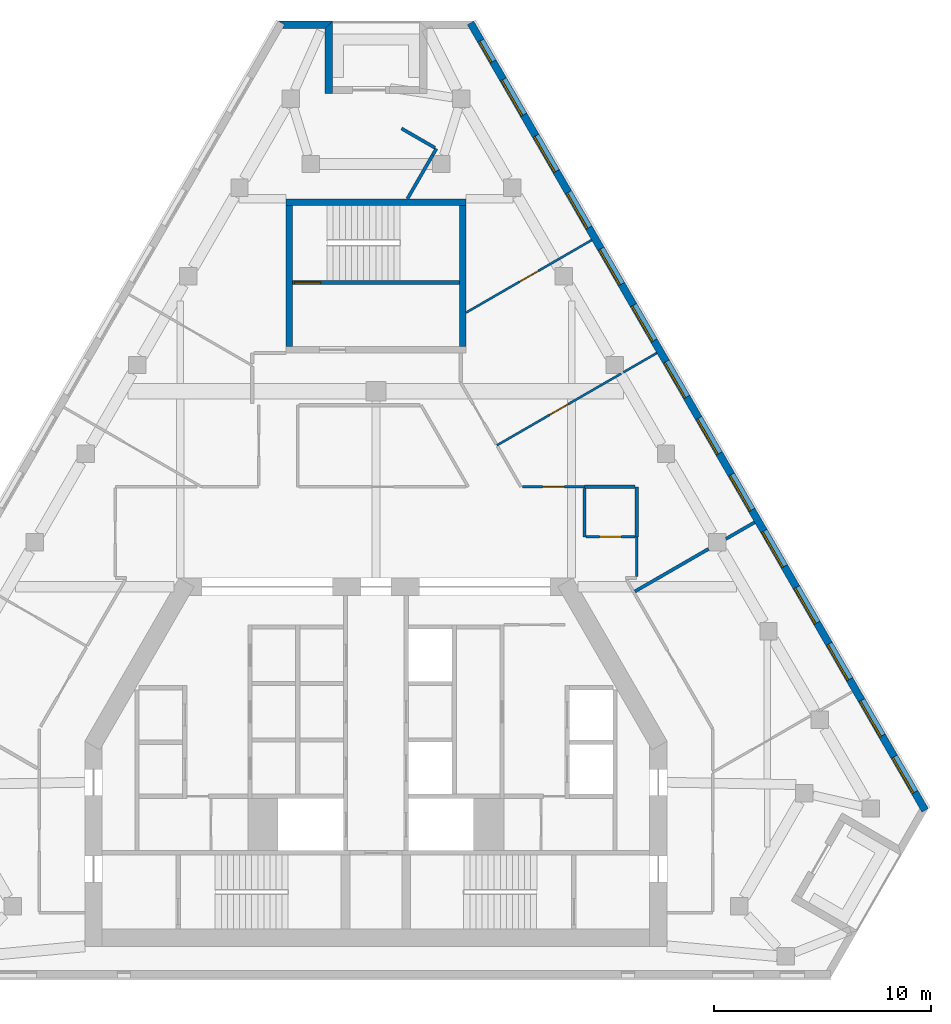
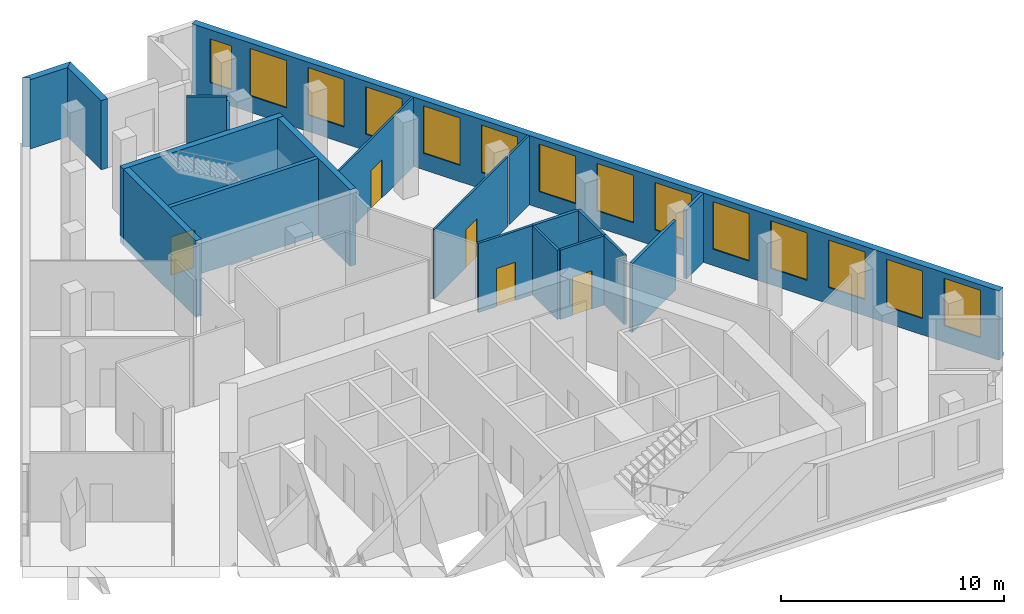
# One storey, part 6 of 9: 21 walls, 14 windows, 5 doors, 19 openings.
"""IFC4 building model written with IfcOpenShell, lengths in metres."""

import ifcopenshell
import ifcopenshell.guid

model = None  # the IFC model being written
_history = None  # IfcOwnerHistory: only IFC2X3 demands one
_inside = {}  # id of a spatial element -> (the spatial element, [elements in it])
_under = {}  # id of a project, library or spatial element -> (it, [spatial elements below it])
_declared = {}  # id of a project -> (the project, [libraries it declares])
_typed = {}  # id of a type object -> (the type object, [elements of that type])
_made_of = {}  # id of a material, layer set ... -> (it, [elements and type objects made of it])


def new_model(schema):
    """Start an empty IFC model of exactly this schema.

    Asked for "IFC4X3", IfcOpenShell would pick the latest addendum, in which some entities
    have other attributes; the version numbers below select the first issue.
    IFC2X3 requires an IfcOwnerHistory on every rooted entity: one is made here for all.
    """
    global model, _history
    if schema == "IFC4X3":
        model = ifcopenshell.file(schema_version=(4, 3, 0, 0))
    else:
        model = ifcopenshell.file(schema=schema)
    _inside.clear()
    _under.clear()
    _declared.clear()
    _typed.clear()
    _made_of.clear()
    _history = None
    if model.schema == "IFC2X3":
        org = make("IfcOrganization", Name="unknown")
        user = make(
            "IfcPersonAndOrganization",
            ThePerson=make("IfcPerson", FamilyName="unknown"),
            TheOrganization=org,
        )
        app = make(
            "IfcApplication",
            ApplicationDeveloper=org,
            Version="unknown",
            ApplicationFullName="unknown",
            ApplicationIdentifier="unknown",
        )
        _history = make(
            "IfcOwnerHistory",
            OwningUser=user,
            OwningApplication=app,
            ChangeAction="ADDED",
            CreationDate=0,
        )
    return model


def make(cls, **values):
    """One entity of the class cls with the attributes given. An attribute that is None is left unset."""
    return model.create_entity(
        cls, **{name: value for name, value in values.items() if value is not None}
    )


def rooted(cls, **values):
    """An entity with a GlobalId (a new one), such as an element, a storey or a relation."""
    return make(cls, GlobalId=ifcopenshell.guid.new(), OwnerHistory=_history, **values)


def si_unit(unit_type, name, prefix=None):
    """IfcSIUnit, for example si_unit("LENGTHUNIT", "METRE", prefix="MILLI")."""
    return make("IfcSIUnit", UnitType=unit_type, Prefix=prefix, Name=name)


def assignment(units):
    """IfcUnitAssignment: the units of a project."""
    return None if units is None else make("IfcUnitAssignment", Units=units)


def point(xyz):
    """IfcCartesianPoint."""
    return None if xyz is None else make("IfcCartesianPoint", Coordinates=xyz)


def direction(xyz):
    """IfcDirection."""
    return None if xyz is None else make("IfcDirection", DirectionRatios=xyz)


def frame(location, z_axis=None, x_axis=None):
    """IfcAxis2Placement3D, a coordinate frame: its origin and axes. An axis left out is left unset."""
    return make(
        "IfcAxis2Placement3D",
        Location=point(location),
        Axis=direction(z_axis),
        RefDirection=direction(x_axis),
    )


def frame_2d(location, x_axis=None):
    """IfcAxis2Placement2D, a coordinate frame in the plane: its origin and x axis."""
    return make(
        "IfcAxis2Placement2D", Location=point(location), RefDirection=direction(x_axis)
    )


def origin():
    """The frame at (0, 0, 0) with its axes left unset."""
    return frame((0.0, 0.0, 0.0))


def place(relative_to, where):
    """IfcLocalPlacement: puts the frame where relative to a parent placement (None: the world)."""
    return make(
        "IfcLocalPlacement", PlacementRelTo=relative_to, RelativePlacement=where
    )


def context(
    kind, dimensions, precision=None, world=None, true_north=None, identifier=None
):
    """IfcGeometricRepresentationContext, for example the 3D "Model" context."""
    return make(
        "IfcGeometricRepresentationContext",
        ContextIdentifier=identifier,
        ContextType=kind,
        CoordinateSpaceDimension=dimensions,
        Precision=precision,
        WorldCoordinateSystem=world,
        TrueNorth=true_north,
    )


def subcontext(parent, identifier, kind, view, scale=None):
    """IfcGeometricRepresentationSubContext, for example "Body" below "Model"."""
    return make(
        "IfcGeometricRepresentationSubContext",
        ContextIdentifier=identifier,
        ContextType=kind,
        ParentContext=parent,
        TargetScale=scale,
        TargetView=view,
    )


def project(units=None, contexts=None):
    """IfcProject with its units and contexts."""
    return rooted(
        "IfcProject",
        Name="project",
        RepresentationContexts=contexts,
        UnitsInContext=assignment(units),
    )


def spatial(cls, under=None, at=None, **own):
    """A site, building, storey or space (cls), placed at a placement, below another one or the project."""
    s = rooted(cls, ObjectPlacement=at, **own)
    if under is not None:
        _under.setdefault(under.id(), (under, []))[1].append(s)
    return s


def polyline(points):
    """IfcPolyline through the points."""
    return make("IfcPolyline", Points=[point(p) for p in points])


def profile(cls, at=None, kind="AREA", **sizes):
    """A parametric profile (cls). Its sizes go by their IFC names, for example OverallWidth=200.0."""
    return make(cls, ProfileType=kind, Position=at, **sizes)


def rectangle(**sizes):
    """IfcRectangleProfileDef."""
    return profile("IfcRectangleProfileDef", **sizes)


def outline(outer, holes=None, kind="AREA"):
    """IfcArbitraryClosedProfileDef: a profile drawn as a closed curve; with holes, ...WithVoids."""
    if holes is None:
        return make("IfcArbitraryClosedProfileDef", ProfileType=kind, OuterCurve=outer)
    return make(
        "IfcArbitraryProfileDefWithVoids",
        ProfileType=kind,
        OuterCurve=outer,
        InnerCurves=holes,
    )


def extrude(swept, where, along, depth):
    """IfcExtrudedAreaSolid: the profile swept, set in the frame where, extruded along a direction by depth."""
    return make(
        "IfcExtrudedAreaSolid",
        SweptArea=swept,
        Position=where,
        ExtrudedDirection=direction(along),
        Depth=depth,
    )


def shape(context_of_items, identifier, shape_type, items):
    """IfcShapeRepresentation: the items that make up one representation, for example the "Body"."""
    return make(
        "IfcShapeRepresentation",
        ContextOfItems=context_of_items,
        RepresentationIdentifier=identifier,
        RepresentationType=shape_type,
        Items=items,
    )


def material(Name=None, Category=None):
    """IfcMaterial."""
    return make("IfcMaterial", Name=Name, Category=Category)


def layer(
    of_material, thickness, ventilated=None, Name=None, Category=None, Priority=None
):
    """IfcMaterialLayer: one layer of a wall or slab, of a material (None: an air gap)."""
    return make(
        "IfcMaterialLayer",
        Material=of_material,
        LayerThickness=thickness,
        IsVentilated=ventilated,
        Name=Name,
        Category=Category,
        Priority=Priority,
    )


def layer_set(layers, Name=None):
    """IfcMaterialLayerSet."""
    return make("IfcMaterialLayerSet", MaterialLayers=layers, LayerSetName=Name)


def made_of(thing, what):
    """Note that an element or type object is made of a material, layer set ...; save() writes the relation."""
    if what is not None:
        _made_of.setdefault(what.id(), (what, []))[1].append(thing)
    return thing


def type_object(cls, material=None, **own):
    """A type object (cls), such as IfcWallType, which elements share."""
    return made_of(rooted(cls, **own), material)


def element(
    cls,
    number,
    at=None,
    inside=None,
    cuts=None,
    type_object=None,
    material=None,
    context=None,
    identifier="Body",
    shape_type=None,
    held_by="IfcProductDefinitionShape",
    body=None,
    shapes=None,
    **own,
):
    """One element of the class cls, such as IfcWall. Its Tag is "e" and its number.

    at: its placement. inside: the storey or other place that contains it. cuts: it is an
    opening in that element (IfcRelVoidsElement). A single representation is given by context,
    identifier, shape_type and body (its items); several are given by shapes. held_by: the class
    of the entity that holds the representations. save() writes the other relations.
    """
    e = rooted(cls, Tag="e%d" % number, ObjectPlacement=at, **own)
    if body is not None:
        shapes = [shape(context, identifier, shape_type, body)]
    if shapes is not None:
        e.Representation = make(held_by, Representations=shapes)
    if inside is not None:
        _inside.setdefault(inside.id(), (inside, []))[1].append(e)
    if cuts is not None:
        rooted(
            "IfcRelVoidsElement", RelatingBuildingElement=cuts, RelatedOpeningElement=e
        )
    if type_object is not None:
        _typed.setdefault(type_object.id(), (type_object, []))[1].append(e)
    return made_of(e, material)


def fill(opening, filler):
    """IfcRelFillsElement: the door or window that sits in an opening."""
    return rooted(
        "IfcRelFillsElement",
        RelatingOpeningElement=opening,
        RelatedBuildingElement=filler,
    )


def aggregate(whole, parts):
    """IfcRelAggregates: a whole, such as a stair, and the parts it consists of."""
    return rooted("IfcRelAggregates", RelatingObject=whole, RelatedObjects=parts)


def save(model, path):
    """Write the relations noted so far, then the file.

    IfcRelAggregates (storeys below a building ...), IfcRelContainedInSpatialStructure (elements
    in a storey), IfcRelDefinesByType, IfcRelAssociatesMaterial and IfcRelDeclares: one each for
    every whole, place, type object, material and project.
    """
    for whole, parts in _under.values():
        aggregate(whole, parts)
    for where, things in _inside.values():
        rooted(
            "IfcRelContainedInSpatialStructure",
            RelatedElements=things,
            RelatingStructure=where,
        )
    for kind, things in _typed.values():
        rooted("IfcRelDefinesByType", RelatedObjects=things, RelatingType=kind)
    for what, things in _made_of.values():
        rooted("IfcRelAssociatesMaterial", RelatedObjects=things, RelatingMaterial=what)
    for by, libraries in _declared.values():
        rooted("IfcRelDeclares", RelatingContext=by, RelatedDefinitions=libraries)
    model.write(path)


model = new_model("IFC4")

# Units and contexts
model_context = context("Model", 3, precision=1e-05, world=origin(), true_north=direction((0.0, 1.0)))
body_context = subcontext(model_context, "Body", "Model", "MODEL_VIEW")
ifc_project = project(units=[si_unit("LENGTHUNIT", "METRE"), si_unit("AREAUNIT", "SQUARE_METRE"), si_unit("VOLUMEUNIT", "CUBIC_METRE"), si_unit("PLANEANGLEUNIT", "RADIAN"), si_unit("MASSUNIT", "GRAM", prefix="KILO")], contexts=[model_context])

# Site, building, storey
site_placement = place(None, origin())
site = spatial("IfcSite", under=ifc_project, at=site_placement, CompositionType="ELEMENT")
building_placement = place(site_placement, origin())
building = spatial("IfcBuilding", under=site, at=building_placement, Name="Fogline Exchange Tower", CompositionType="ELEMENT")
storey_placement = place(building_placement, frame((0.0, 0.0, 279.300048828125)))
storey = spatial("IfcBuildingStorey", under=building, at=storey_placement, Name="L63", CompositionType="ELEMENT", Elevation=279.300048828125)

# Wall, opening, door
ifc_material_1 = material(Name="Concrete C40", Category="concrete")
ifc_layer_1 = layer(ifc_material_1, 0.199951171875)
ifc_layer_set_1 = layer_set([ifc_layer_1], Name="CW20R")
wall_type_1 = type_object("IfcWallType", Name="CW20R", PredefinedType="SOLIDWALL", material=ifc_layer_set_1)
wall_1_placement = place(storey_placement, frame((-3.85009765625, 32.007080078125, -0.400146484375), z_axis=(0.0, 0.0, 1.0), x_axis=(1.0, 0.0, 0.0)))
wall_1 = element("IfcWall", 1, at=wall_1_placement, inside=storey, type_object=wall_type_1, Name="Stair enclosure wall ST3", PredefinedType="SOLIDWALL", context=body_context, shape_type="SweptSolid", body=[
    extrude(rectangle(XDim=7.7001953125, YDim=0.199951171875, at=frame_2d((3.85009765625, 0.0))), origin(), (0.0, 0.0, 1.0), 4.2001953125),
])
opening_1_placement = place(wall_1_placement, frame((0.10009765625, 0.0, 0.39990234375)))
opening_1 = element("IfcOpeningElement", 2, at=opening_1_placement, cuts=wall_1, Name="Opening T20-C027", PredefinedType="OPENING", context=body_context, shape_type="SweptSolid", body=[
    extrude(rectangle(XDim=1.199951171875, YDim=2.10009765625, at=frame_2d((0.60009765625, 1.050048828125))), frame((0.0, 0.10986328125, 0.0), z_axis=(0.0, -1.0, 0.0), x_axis=(1.0, 0.0, 0.0)), (0.0, 0.0, 1.0), 0.219970703125),
])
ifc_material_2 = material(Name="Steel and timber fire door", Category="steel")
door_type_1 = type_object("IfcDoorType", Name="D-ST1", OperationType="SINGLE_SWING_LEFT", PredefinedType="DOOR", material=ifc_material_2)
door_1_placement = place(opening_1_placement, origin())
door_1 = element("IfcDoor", 3, at=door_1_placement, inside=storey, type_object=door_type_1, Name="Stair door ST3", OperationType="SINGLE_SWING_LEFT", OverallHeight=2.10009765625, OverallWidth=1.199951171875, PredefinedType="DOOR", context=body_context, shape_type="SweptSolid", body=[
    extrude(rectangle(XDim=1.199951171875, YDim=2.10009765625, at=frame_2d((0.60009765625, 1.050048828125))), frame((0.0, 0.02490234375, 0.0), z_axis=(0.0, -1.0, 0.0), x_axis=(1.0, 0.0, 0.0)), (0.0, 0.0, 1.0), 0.050048828125),
])
fill(opening_1, door_1)

# Walls
ifc_layer_2 = layer(ifc_material_1, 0.300048828125)
ifc_layer_set_2 = layer_set([ifc_layer_2], Name="CW30")
wall_type_2 = type_object("IfcWallType", Name="CW30", PredefinedType="SOLIDWALL", material=ifc_layer_set_2)
wall_2_placement = place(storey_placement, frame((-4.14990234375, 35.70703125, -0.400146484375), z_axis=(0.0, 0.0, 1.0), x_axis=(1.0, 0.0, 0.0)))
element("IfcWall", 4, at=wall_2_placement, inside=storey, type_object=wall_type_2, Name="Stair enclosure wall ST3", PredefinedType="SOLIDWALL", context=body_context, shape_type="SweptSolid", body=[
    extrude(rectangle(XDim=8.2998046875, YDim=0.300048828125, at=frame_2d((4.14990234375, 0.0))), origin(), (0.0, 0.0, 1.0), 4.2001953125),
])
for number, where, z_axis, x_axis, name in (
    (5, (-4.0, 29.056884765625, -0.400146484375), (0.0, 0.0, 1.0), (0.0, 1.0, 0.0), "Stair enclosure wall ST3"),
    (6, (4.0, 29.056884765625, -0.400146484375), (0.0, 0.0, 1.0), (0.0, 1.0, 0.0), "Stair enclosure wall ST3"),
):
    element("IfcWall", number, at=place(storey_placement, frame(where, z_axis=z_axis, x_axis=x_axis)), inside=storey, type_object=wall_type_2, Name=name, PredefinedType="SOLIDWALL", context=body_context, shape_type="SweptSolid", body=[
        extrude(rectangle(XDim=6.5, YDim=0.300048828125, at=frame_2d((3.25, 0.0))), origin(), (0.0, 0.0, 1.0), 4.2001953125),
    ])

# Wall, openings, windows
ifc_material_3 = material(Name="Brick masonry", Category="masonry")
ifc_layer_3 = layer(ifc_material_3, 0.340087890625)
ifc_layer_set_3 = layer_set([ifc_layer_3], Name="FW1")
wall_type_3 = type_object("IfcWallType", Name="FW1", PredefinedType="SOLIDWALL", material=ifc_layer_set_3)
wall_3_placement = place(storey_placement, frame((25.27734375, 7.709228515625, 0.0), z_axis=(0.0, 0.0, 1.0), x_axis=(-0.499999693239, 0.866025580893, 0.0)))
wall_3 = element("IfcWall", 7, at=wall_3_placement, inside=storey, type_object=wall_type_3, Name="Brick wall L63 E", PredefinedType="SOLIDWALL", context=body_context, shape_type="SweptSolid", body=[
    extrude(rectangle(XDim=41.84912109375, YDim=0.340087890625, at=frame_2d((20.924560546875, 0.0))), origin(), (0.0, 0.0, 1.0), 3.800048828125),
])
opening_2_placement = place(wall_3_placement, frame((0.96240234375, 0.0, 0.89990234375)))
opening_2 = element("IfcOpeningElement", 8, at=opening_2_placement, cuts=wall_3, Name="Opening W3", PredefinedType="OPENING", context=body_context, shape_type="SweptSolid", body=[
    extrude(rectangle(XDim=1.885009765625, YDim=2.60009765625, at=frame_2d((0.9423828125, 1.300048828125))), frame((0.0, 0.18017578125, 0.0), z_axis=(0.0, -1.0, 0.0), x_axis=(1.0, 0.0, 0.0)), (0.0, 0.0, 1.0), 0.360107421875),
])
opening_3_placement = place(wall_3_placement, frame((3.96240234375, 0.0, 0.89990234375)))
opening_3 = element("IfcOpeningElement", 9, at=opening_3_placement, cuts=wall_3, Name="Opening W3", PredefinedType="OPENING", context=body_context, shape_type="SweptSolid", body=[
    extrude(rectangle(XDim=1.885009765625, YDim=2.60009765625, at=frame_2d((0.9423828125, 1.300048828125))), frame((0.0, 0.18017578125, 0.0), z_axis=(0.0, -1.0, 0.0), x_axis=(1.0, 0.0, 0.0)), (0.0, 0.0, 1.0), 0.360107421875),
])
opening_4_placement = place(wall_3_placement, frame((6.96240234375, 0.0, 0.89990234375)))
opening_4 = element("IfcOpeningElement", 10, at=opening_4_placement, cuts=wall_3, Name="Opening W3", PredefinedType="OPENING", context=body_context, shape_type="SweptSolid", body=[
    extrude(rectangle(XDim=1.885009765625, YDim=2.60009765625, at=frame_2d((0.9423828125, 1.300048828125))), frame((0.0, 0.18017578125, 0.0), z_axis=(0.0, -1.0, 0.0), x_axis=(1.0, 0.0, 0.0)), (0.0, 0.0, 1.0), 0.360107421875),
])
opening_5_placement = place(wall_3_placement, frame((9.96240234375, 0.0, 0.89990234375)))
opening_5 = element("IfcOpeningElement", 11, at=opening_5_placement, cuts=wall_3, Name="Opening W3", PredefinedType="OPENING", context=body_context, shape_type="SweptSolid", body=[
    extrude(rectangle(XDim=1.885009765625, YDim=2.60009765625, at=frame_2d((0.9423828125, 1.300048828125))), frame((0.0, 0.18017578125, 0.0), z_axis=(0.0, -1.0, 0.0), x_axis=(1.0, 0.0, 0.0)), (0.0, 0.0, 1.0), 0.360107421875),
])
opening_6_placement = place(wall_3_placement, frame((12.96240234375, 0.0, 0.89990234375)))
opening_6 = element("IfcOpeningElement", 12, at=opening_6_placement, cuts=wall_3, Name="Opening W3", PredefinedType="OPENING", context=body_context, shape_type="SweptSolid", body=[
    extrude(rectangle(XDim=1.885009765625, YDim=2.60009765625, at=frame_2d((0.9423828125, 1.300048828125))), frame((0.0, 0.18017578125, 0.0), z_axis=(0.0, -1.0, 0.0), x_axis=(1.0, 0.0, 0.0)), (0.0, 0.0, 1.0), 0.360107421875),
])
opening_7_placement = place(wall_3_placement, frame((15.96240234375, 0.0, 0.89990234375)))
opening_7 = element("IfcOpeningElement", 13, at=opening_7_placement, cuts=wall_3, Name="Opening W3", PredefinedType="OPENING", context=body_context, shape_type="SweptSolid", body=[
    extrude(rectangle(XDim=1.885009765625, YDim=2.60009765625, at=frame_2d((0.9423828125, 1.300048828125))), frame((0.0, 0.18017578125, 0.0), z_axis=(0.0, -1.0, 0.0), x_axis=(1.0, 0.0, 0.0)), (0.0, 0.0, 1.0), 0.360107421875),
])
opening_8_placement = place(wall_3_placement, frame((18.96240234375, 0.0, 0.89990234375)))
opening_8 = element("IfcOpeningElement", 14, at=opening_8_placement, cuts=wall_3, Name="Opening W3", PredefinedType="OPENING", context=body_context, shape_type="SweptSolid", body=[
    extrude(rectangle(XDim=1.885009765625, YDim=2.60009765625, at=frame_2d((0.9423828125, 1.300048828125))), frame((0.0, 0.18017578125, 0.0), z_axis=(0.0, -1.0, 0.0), x_axis=(1.0, 0.0, 0.0)), (0.0, 0.0, 1.0), 0.360107421875),
])
opening_9_placement = place(wall_3_placement, frame((21.96240234375, 0.0, 0.89990234375)))
opening_9 = element("IfcOpeningElement", 15, at=opening_9_placement, cuts=wall_3, Name="Opening W3", PredefinedType="OPENING", context=body_context, shape_type="SweptSolid", body=[
    extrude(rectangle(XDim=1.885009765625, YDim=2.60009765625, at=frame_2d((0.9423828125, 1.300048828125))), frame((0.0, 0.18017578125, 0.0), z_axis=(0.0, -1.0, 0.0), x_axis=(1.0, 0.0, 0.0)), (0.0, 0.0, 1.0), 0.360107421875),
])
opening_10_placement = place(wall_3_placement, frame((24.96240234375, 0.0, 0.89990234375)))
opening_10 = element("IfcOpeningElement", 16, at=opening_10_placement, cuts=wall_3, Name="Opening W3", PredefinedType="OPENING", context=body_context, shape_type="SweptSolid", body=[
    extrude(rectangle(XDim=1.885009765625, YDim=2.60009765625, at=frame_2d((0.9423828125, 1.300048828125))), frame((0.0, 0.18017578125, 0.0), z_axis=(0.0, -1.0, 0.0), x_axis=(1.0, 0.0, 0.0)), (0.0, 0.0, 1.0), 0.360107421875),
])
opening_11_placement = place(wall_3_placement, frame((27.96240234375, 0.0, 0.89990234375)))
opening_11 = element("IfcOpeningElement", 17, at=opening_11_placement, cuts=wall_3, Name="Opening W3", PredefinedType="OPENING", context=body_context, shape_type="SweptSolid", body=[
    extrude(rectangle(XDim=1.885009765625, YDim=2.60009765625, at=frame_2d((0.9423828125, 1.300048828125))), frame((0.0, 0.18017578125, 0.0), z_axis=(0.0, -1.0, 0.0), x_axis=(1.0, 0.0, 0.0)), (0.0, 0.0, 1.0), 0.360107421875),
])
opening_12_placement = place(wall_3_placement, frame((30.96240234375, 0.0, 0.89990234375)))
opening_12 = element("IfcOpeningElement", 18, at=opening_12_placement, cuts=wall_3, Name="Opening W3", PredefinedType="OPENING", context=body_context, shape_type="SweptSolid", body=[
    extrude(rectangle(XDim=1.885009765625, YDim=2.60009765625, at=frame_2d((0.9423828125, 1.300048828125))), frame((0.0, 0.18017578125, 0.0), z_axis=(0.0, -1.0, 0.0), x_axis=(1.0, 0.0, 0.0)), (0.0, 0.0, 1.0), 0.360107421875),
])
opening_13_placement = place(wall_3_placement, frame((33.96240234375, 0.0, 0.89990234375)))
opening_13 = element("IfcOpeningElement", 19, at=opening_13_placement, cuts=wall_3, Name="Opening W3", PredefinedType="OPENING", context=body_context, shape_type="SweptSolid", body=[
    extrude(rectangle(XDim=1.885009765625, YDim=2.60009765625, at=frame_2d((0.9423828125, 1.300048828125))), frame((0.0, 0.18017578125, 0.0), z_axis=(0.0, -1.0, 0.0), x_axis=(1.0, 0.0, 0.0)), (0.0, 0.0, 1.0), 0.360107421875),
])
opening_14_placement = place(wall_3_placement, frame((36.96240234375, 0.0, 0.89990234375)))
opening_14 = element("IfcOpeningElement", 20, at=opening_14_placement, cuts=wall_3, Name="Opening W3", PredefinedType="OPENING", context=body_context, shape_type="SweptSolid", body=[
    extrude(rectangle(XDim=1.885009765625, YDim=2.60009765625, at=frame_2d((0.9423828125, 1.300048828125))), frame((0.0, 0.18017578125, 0.0), z_axis=(0.0, -1.0, 0.0), x_axis=(1.0, 0.0, 0.0)), (0.0, 0.0, 1.0), 0.360107421875),
])
opening_15_placement = place(wall_3_placement, frame((39.790771484375, 0.0, 0.89990234375)))
opening_15 = element("IfcOpeningElement", 21, at=opening_15_placement, cuts=wall_3, Name="Opening W4", PredefinedType="OPENING", context=body_context, shape_type="SweptSolid", body=[
    extrude(rectangle(XDim=1.114990234375, YDim=2.39990234375, at=frame_2d((0.5576171875, 1.199951171875))), frame((0.0, 0.18017578125, 0.0), z_axis=(0.0, -1.0, 0.0), x_axis=(1.0, 0.0, 0.0)), (0.0, 0.0, 1.0), 0.360107421875),
])
ifc_material_4 = material(Name="Aluminium and glass", Category="aluminium")
window_type_1 = type_object("IfcWindowType", Name="W3", PartitioningType="SINGLE_PANEL", PredefinedType="WINDOW", material=ifc_material_4)
window_1_placement = place(opening_2_placement, origin())
window_1 = element("IfcWindow", 22, at=window_1_placement, inside=storey, type_object=window_type_1, Name="W3 W3", OverallHeight=2.60009765625, OverallWidth=1.885009765625, PartitioningType="SINGLE_PANEL", PredefinedType="WINDOW", context=body_context, shape_type="SweptSolid", body=[
    extrude(rectangle(XDim=1.885009765625, YDim=2.60009765625, at=frame_2d((0.9423828125, 1.300048828125))), frame((0.0, 0.110107421875, 0.0), z_axis=(0.0, -1.0, 0.0), x_axis=(1.0, 0.0, 0.0)), (0.0, 0.0, 1.0), 0.06005859375),
])
fill(opening_2, window_1)
window_2_placement = place(opening_3_placement, origin())
window_2 = element("IfcWindow", 23, at=window_2_placement, inside=storey, type_object=window_type_1, Name="W3 W3", OverallHeight=2.60009765625, OverallWidth=1.885009765625, PartitioningType="SINGLE_PANEL", PredefinedType="WINDOW", context=body_context, shape_type="SweptSolid", body=[
    extrude(rectangle(XDim=1.885009765625, YDim=2.60009765625, at=frame_2d((0.9423828125, 1.300048828125))), frame((0.0, 0.110107421875, 0.0), z_axis=(0.0, -1.0, 0.0), x_axis=(1.0, 0.0, 0.0)), (0.0, 0.0, 1.0), 0.06005859375),
])
fill(opening_3, window_2)
window_3_placement = place(opening_4_placement, origin())
window_3 = element("IfcWindow", 24, at=window_3_placement, inside=storey, type_object=window_type_1, Name="W3 W3", OverallHeight=2.60009765625, OverallWidth=1.885009765625, PartitioningType="SINGLE_PANEL", PredefinedType="WINDOW", context=body_context, shape_type="SweptSolid", body=[
    extrude(rectangle(XDim=1.885009765625, YDim=2.60009765625, at=frame_2d((0.9423828125, 1.300048828125))), frame((0.0, 0.110107421875, 0.0), z_axis=(0.0, -1.0, 0.0), x_axis=(1.0, 0.0, 0.0)), (0.0, 0.0, 1.0), 0.06005859375),
])
fill(opening_4, window_3)
window_4_placement = place(opening_5_placement, origin())
window_4 = element("IfcWindow", 25, at=window_4_placement, inside=storey, type_object=window_type_1, Name="W3 W3", OverallHeight=2.60009765625, OverallWidth=1.885009765625, PartitioningType="SINGLE_PANEL", PredefinedType="WINDOW", context=body_context, shape_type="SweptSolid", body=[
    extrude(rectangle(XDim=1.885009765625, YDim=2.60009765625, at=frame_2d((0.9423828125, 1.300048828125))), frame((0.0, 0.110107421875, 0.0), z_axis=(0.0, -1.0, 0.0), x_axis=(1.0, 0.0, 0.0)), (0.0, 0.0, 1.0), 0.06005859375),
])
fill(opening_5, window_4)
window_5_placement = place(opening_6_placement, origin())
window_5 = element("IfcWindow", 26, at=window_5_placement, inside=storey, type_object=window_type_1, Name="W3 W3", OverallHeight=2.60009765625, OverallWidth=1.885009765625, PartitioningType="SINGLE_PANEL", PredefinedType="WINDOW", context=body_context, shape_type="SweptSolid", body=[
    extrude(rectangle(XDim=1.885009765625, YDim=2.60009765625, at=frame_2d((0.9423828125, 1.300048828125))), frame((0.0, 0.110107421875, 0.0), z_axis=(0.0, -1.0, 0.0), x_axis=(1.0, 0.0, 0.0)), (0.0, 0.0, 1.0), 0.06005859375),
])
fill(opening_6, window_5)
window_6_placement = place(opening_7_placement, origin())
window_6 = element("IfcWindow", 27, at=window_6_placement, inside=storey, type_object=window_type_1, Name="W3 W3", OverallHeight=2.60009765625, OverallWidth=1.885009765625, PartitioningType="SINGLE_PANEL", PredefinedType="WINDOW", context=body_context, shape_type="SweptSolid", body=[
    extrude(rectangle(XDim=1.885009765625, YDim=2.60009765625, at=frame_2d((0.9423828125, 1.300048828125))), frame((0.0, 0.110107421875, 0.0), z_axis=(0.0, -1.0, 0.0), x_axis=(1.0, 0.0, 0.0)), (0.0, 0.0, 1.0), 0.06005859375),
])
fill(opening_7, window_6)
window_7_placement = place(opening_8_placement, origin())
window_7 = element("IfcWindow", 28, at=window_7_placement, inside=storey, type_object=window_type_1, Name="W3 W3", OverallHeight=2.60009765625, OverallWidth=1.885009765625, PartitioningType="SINGLE_PANEL", PredefinedType="WINDOW", context=body_context, shape_type="SweptSolid", body=[
    extrude(rectangle(XDim=1.885009765625, YDim=2.60009765625, at=frame_2d((0.9423828125, 1.300048828125))), frame((0.0, 0.110107421875, 0.0), z_axis=(0.0, -1.0, 0.0), x_axis=(1.0, 0.0, 0.0)), (0.0, 0.0, 1.0), 0.06005859375),
])
fill(opening_8, window_7)
window_8_placement = place(opening_9_placement, origin())
window_8 = element("IfcWindow", 29, at=window_8_placement, inside=storey, type_object=window_type_1, Name="W3 W3", OverallHeight=2.60009765625, OverallWidth=1.885009765625, PartitioningType="SINGLE_PANEL", PredefinedType="WINDOW", context=body_context, shape_type="SweptSolid", body=[
    extrude(rectangle(XDim=1.885009765625, YDim=2.60009765625, at=frame_2d((0.9423828125, 1.300048828125))), frame((0.0, 0.110107421875, 0.0), z_axis=(0.0, -1.0, 0.0), x_axis=(1.0, 0.0, 0.0)), (0.0, 0.0, 1.0), 0.06005859375),
])
fill(opening_9, window_8)
window_9_placement = place(opening_10_placement, origin())
window_9 = element("IfcWindow", 30, at=window_9_placement, inside=storey, type_object=window_type_1, Name="W3 W3", OverallHeight=2.60009765625, OverallWidth=1.885009765625, PartitioningType="SINGLE_PANEL", PredefinedType="WINDOW", context=body_context, shape_type="SweptSolid", body=[
    extrude(rectangle(XDim=1.885009765625, YDim=2.60009765625, at=frame_2d((0.9423828125, 1.300048828125))), frame((0.0, 0.110107421875, 0.0), z_axis=(0.0, -1.0, 0.0), x_axis=(1.0, 0.0, 0.0)), (0.0, 0.0, 1.0), 0.06005859375),
])
fill(opening_10, window_9)
window_10_placement = place(opening_11_placement, origin())
window_10 = element("IfcWindow", 31, at=window_10_placement, inside=storey, type_object=window_type_1, Name="W3 W3", OverallHeight=2.60009765625, OverallWidth=1.885009765625, PartitioningType="SINGLE_PANEL", PredefinedType="WINDOW", context=body_context, shape_type="SweptSolid", body=[
    extrude(rectangle(XDim=1.885009765625, YDim=2.60009765625, at=frame_2d((0.9423828125, 1.300048828125))), frame((0.0, 0.110107421875, 0.0), z_axis=(0.0, -1.0, 0.0), x_axis=(1.0, 0.0, 0.0)), (0.0, 0.0, 1.0), 0.06005859375),
])
fill(opening_11, window_10)
window_11_placement = place(opening_12_placement, origin())
window_11 = element("IfcWindow", 32, at=window_11_placement, inside=storey, type_object=window_type_1, Name="W3 W3", OverallHeight=2.60009765625, OverallWidth=1.885009765625, PartitioningType="SINGLE_PANEL", PredefinedType="WINDOW", context=body_context, shape_type="SweptSolid", body=[
    extrude(rectangle(XDim=1.885009765625, YDim=2.60009765625, at=frame_2d((0.9423828125, 1.300048828125))), frame((0.0, 0.110107421875, 0.0), z_axis=(0.0, -1.0, 0.0), x_axis=(1.0, 0.0, 0.0)), (0.0, 0.0, 1.0), 0.06005859375),
])
fill(opening_12, window_11)
window_12_placement = place(opening_13_placement, origin())
window_12 = element("IfcWindow", 33, at=window_12_placement, inside=storey, type_object=window_type_1, Name="W3 W3", OverallHeight=2.60009765625, OverallWidth=1.885009765625, PartitioningType="SINGLE_PANEL", PredefinedType="WINDOW", context=body_context, shape_type="SweptSolid", body=[
    extrude(rectangle(XDim=1.885009765625, YDim=2.60009765625, at=frame_2d((0.9423828125, 1.300048828125))), frame((0.0, 0.110107421875, 0.0), z_axis=(0.0, -1.0, 0.0), x_axis=(1.0, 0.0, 0.0)), (0.0, 0.0, 1.0), 0.06005859375),
])
fill(opening_13, window_12)
window_13_placement = place(opening_14_placement, origin())
window_13 = element("IfcWindow", 34, at=window_13_placement, inside=storey, type_object=window_type_1, Name="W3 W3", OverallHeight=2.60009765625, OverallWidth=1.885009765625, PartitioningType="SINGLE_PANEL", PredefinedType="WINDOW", context=body_context, shape_type="SweptSolid", body=[
    extrude(rectangle(XDim=1.885009765625, YDim=2.60009765625, at=frame_2d((0.9423828125, 1.300048828125))), frame((0.0, 0.110107421875, 0.0), z_axis=(0.0, -1.0, 0.0), x_axis=(1.0, 0.0, 0.0)), (0.0, 0.0, 1.0), 0.06005859375),
])
fill(opening_14, window_13)
window_type_2 = type_object("IfcWindowType", Name="W4", PartitioningType="SINGLE_PANEL", PredefinedType="WINDOW", material=ifc_material_4)
window_14_placement = place(opening_15_placement, origin())
window_14 = element("IfcWindow", 35, at=window_14_placement, inside=storey, type_object=window_type_2, Name="W4 W4", OverallHeight=2.39990234375, OverallWidth=1.114990234375, PartitioningType="SINGLE_PANEL", PredefinedType="WINDOW", context=body_context, shape_type="SweptSolid", body=[
    extrude(rectangle(XDim=1.114990234375, YDim=2.39990234375, at=frame_2d((0.5576171875, 1.199951171875))), frame((0.0, 0.110107421875, 0.0), z_axis=(0.0, -1.0, 0.0), x_axis=(1.0, 0.0, 0.0)), (0.0, 0.0, 1.0), 0.06005859375),
])
fill(opening_15, window_14)

# Walls
wall_4_placement = place(storey_placement, origin())
element("IfcWall", 36, at=wall_4_placement, inside=storey, type_object=wall_type_3, Name="Brick wall L63 N-s2", PredefinedType="SOLIDWALL", context=body_context, shape_type="SweptSolid", body=[
    extrude(outline(polyline([(-1.99951171875, 44.03759765625), (-1.99951171875, 40.696044921875), (-2.340576171875, 40.696044921875), (-2.340576171875, 43.697021484375), (-1.999755859375, 44.037841796875), (-1.99951171875, 44.03759765625)])), origin(), (0.0, 0.0, 1.0), 3.800048828125),
])
wall_5_placement = place(storey_placement, origin())
element("IfcWall", 37, at=wall_5_placement, inside=storey, type_object=wall_type_3, Name="Brick wall L63 N-c2", PredefinedType="SOLIDWALL", context=body_context, shape_type="SweptSolid", body=[
    extrude(outline(polyline([(-4.3046875, 43.696044921875), (-4.206298828125, 43.866455078125), (-4.501220703125, 44.03662109375), (-4.5009765625, 44.037353515625), (-1.9990234375, 44.037353515625), (-1.998779296875, 44.036865234375), (-2.33984375, 43.696044921875), (-4.3046875, 43.696044921875)])), origin(), (0.0, 0.0, 1.0), 3.800048828125),
])

# Wall, opening, door
ifc_material_5 = material(Name="Plasterboard partition, 2 layers each side on steel studs", Category="steel")
ifc_layer_4 = layer(ifc_material_5, 0.10009765625)
ifc_layer_set_4 = layer_set([ifc_layer_4], Name="PW1")
wall_type_4 = type_object("IfcWallType", Name="PW1", PredefinedType="PARTITIONING", material=ifc_layer_set_4)
wall_6_placement = place(storey_placement, frame((5.56640625, 24.509521484375, 0.0), z_axis=(0.0, 0.0, 1.0), x_axis=(0.866046324637, 0.49996376227, 0.0)))
wall_6 = element("IfcWall", 38, at=wall_6_placement, inside=storey, type_object=wall_type_4, Name="wall-L63-W033", PredefinedType="PARTITIONING", context=body_context, shape_type="SweptSolid", body=[
    extrude(rectangle(XDim=6.59765625, YDim=0.10009765625, at=frame_2d((3.298828125, 0.0))), origin(), (0.0, 0.0, 1.0), 3.800048828125),
])
opening_16_placement = place(wall_6_placement, frame((2.798828125, 0.0, 0.0)))
opening_16 = element("IfcOpeningElement", 39, at=opening_16_placement, cuts=wall_6, Name="Opening T20-D011", PredefinedType="OPENING", context=body_context, shape_type="SweptSolid", body=[
    extrude(rectangle(XDim=1.0, YDim=2.10009765625, at=frame_2d((0.5, 1.050048828125))), frame((0.0, 0.06005859375, 0.0), z_axis=(0.0, -1.0, 0.0), x_axis=(1.0, 0.0, 0.0)), (0.0, 0.0, 1.0), 0.1201171875),
])
ifc_material_6 = material(Name="Timber door leaf with steel frame", Category="steel")
door_type_2 = type_object("IfcDoorType", Name="D1", OperationType="SINGLE_SWING_LEFT", PredefinedType="DOOR", material=ifc_material_6)
door_2_placement = place(opening_16_placement, origin())
door_2 = element("IfcDoor", 40, at=door_2_placement, inside=storey, type_object=door_type_2, Name="door-L63-D011", OperationType="SINGLE_SWING_LEFT", OverallHeight=2.10009765625, OverallWidth=1.0, PredefinedType="DOOR", context=body_context, shape_type="SweptSolid", body=[
    extrude(rectangle(XDim=1.0, YDim=2.10009765625, at=frame_2d((0.5, 1.050048828125))), frame((0.0, 0.02490234375, 0.0), z_axis=(0.0, -1.0, 0.0), x_axis=(1.0, 0.0, 0.0)), (0.0, 0.0, 1.0), 0.050048828125),
])
fill(opening_16, door_2)

# Wall
wall_7_placement = place(storey_placement, frame((11.394287109375, 27.8740234375, 0.0), z_axis=(0.0, 0.0, 1.0), x_axis=(0.86598582165, 0.500068552002, 0.0)))
element("IfcWall", 41, at=wall_7_placement, inside=storey, type_object=wall_type_4, Name="wall-L63-W034", PredefinedType="PARTITIONING", context=body_context, shape_type="SweptSolid", body=[
    extrude(rectangle(XDim=1.770751953125, YDim=0.10009765625, at=frame_2d((0.88525390625, 0.0))), origin(), (0.0, 0.0, 1.0), 3.800048828125),
])

# Wall, opening, door
wall_8_placement = place(storey_placement, frame((4.14990234375, 30.619873046875, 0.0), z_axis=(0.0, 0.0, 1.0), x_axis=(0.866034458985, 0.499984315605, 0.0)))
wall_8 = element("IfcWall", 42, at=wall_8_placement, inside=storey, type_object=wall_type_4, Name="wall-L63-W037", PredefinedType="PARTITIONING", context=body_context, shape_type="SweptSolid", body=[
    extrude(rectangle(XDim=6.671630859375, YDim=0.10009765625, at=frame_2d((3.3359375, 0.0))), origin(), (0.0, 0.0, 1.0), 3.800048828125),
])
opening_17_placement = place(wall_8_placement, frame((2.835693359375, 0.0, 0.0)))
opening_17 = element("IfcOpeningElement", 43, at=opening_17_placement, cuts=wall_8, Name="Opening T20-D012", PredefinedType="OPENING", context=body_context, shape_type="SweptSolid", body=[
    extrude(rectangle(XDim=1.0, YDim=2.10009765625, at=frame_2d((0.5, 1.050048828125))), frame((0.0, 0.06005859375, 0.0), z_axis=(0.0, -1.0, 0.0), x_axis=(1.0, 0.0, 0.0)), (0.0, 0.0, 1.0), 0.1201171875),
])
door_3_placement = place(opening_17_placement, frame((1.0, 0.0, 0.0), z_axis=(0.0, 0.0, 1.0), x_axis=(-1.0, 0.0, 0.0)))
door_3 = element("IfcDoor", 44, at=door_3_placement, inside=storey, type_object=door_type_2, Name="door-L63-D012", OperationType="SINGLE_SWING_RIGHT", OverallHeight=2.10009765625, OverallWidth=1.0, PredefinedType="DOOR", context=body_context, shape_type="SweptSolid", body=[
    extrude(rectangle(XDim=1.0, YDim=2.10009765625, at=frame_2d((0.5, 1.050048828125))), frame((0.0, 0.02490234375, 0.0), z_axis=(0.0, -1.0, 0.0), x_axis=(1.0, 0.0, 0.0)), (0.0, 0.0, 1.0), 0.050048828125),
])
fill(opening_17, door_3)

# Wall
ifc_material_7 = material(Name="Plasterboard corridor partition with mineral wool, 2 layers each side")
ifc_layer_5 = layer(ifc_material_7, 0.125)
ifc_layer_set_5 = layer_set([ifc_layer_5], Name="PW2")
wall_type_5 = type_object("IfcWallType", Name="PW2", PredefinedType="PARTITIONING", material=ifc_layer_set_5)
wall_9_placement = place(storey_placement, frame((9.60009765625, 22.5244140625, 0.0), z_axis=(0.0, 0.0, 1.0), x_axis=(0.0, -1.0, 0.0)))
element("IfcWall", 45, at=wall_9_placement, inside=storey, type_object=wall_type_5, Name="wall-L63-W006", PredefinedType="PARTITIONING", context=body_context, shape_type="SweptSolid", body=[
    extrude(rectangle(XDim=2.224365234375, YDim=0.125, at=frame_2d((1.1123046875, 0.0))), origin(), (0.0, 0.0, 1.0), 3.800048828125),
])

# Wall, opening, door
wall_10_placement = place(storey_placement, frame((9.66259765625, 20.300048828125, 0.0), z_axis=(0.0, 0.0, 1.0), x_axis=(1.0, 0.0, 0.0)))
wall_10 = element("IfcWall", 46, at=wall_10_placement, inside=storey, type_object=wall_type_5, Name="wall-L63-W007", PredefinedType="PARTITIONING", context=body_context, shape_type="SweptSolid", body=[
    extrude(rectangle(XDim=2.262451171875, YDim=0.125, at=frame_2d((1.13134765625, 0.0))), origin(), (0.0, 0.0, 1.0), 3.800048828125),
])
opening_18_placement = place(wall_10_placement, frame((0.63134765625, 0.0, 0.0)))
opening_18 = element("IfcOpeningElement", 47, at=opening_18_placement, cuts=wall_10, Name="Opening T20-D003", PredefinedType="OPENING", context=body_context, shape_type="SweptSolid", body=[
    extrude(rectangle(XDim=1.0, YDim=2.10009765625, at=frame_2d((0.5, 1.050048828125))), frame((0.0, 0.072509765625, 0.0), z_axis=(0.0, -1.0, 0.0), x_axis=(1.0, 0.0, 0.0)), (0.0, 0.0, 1.0), 0.14501953125),
])
ifc_material_8 = material(Name="Fire-rated timber door leaf with steel frame", Category="steel")
door_type_3 = type_object("IfcDoorType", Name="D3", OperationType="SINGLE_SWING_LEFT", PredefinedType="DOOR", material=ifc_material_8)
door_4_placement = place(opening_18_placement, origin())
door_4 = element("IfcDoor", 48, at=door_4_placement, inside=storey, type_object=door_type_3, Name="door-L63-D003", OperationType="SINGLE_SWING_LEFT", OverallHeight=2.10009765625, OverallWidth=1.0, PredefinedType="DOOR", context=body_context, shape_type="SweptSolid", body=[
    extrude(rectangle(XDim=1.0, YDim=2.10009765625, at=frame_2d((0.5, 1.050048828125))), frame((0.0, 0.02490234375, 0.0), z_axis=(0.0, -1.0, 0.0), x_axis=(1.0, 0.0, 0.0)), (0.0, 0.0, 1.0), 0.050048828125),
])
fill(opening_18, door_4)

wall_11_placement = place(storey_placement, frame((6.7412109375, 22.60009765625, 0.0), z_axis=(0.0, 0.0, 1.0), x_axis=(1.0, 0.0, 0.0)))
wall_11 = element("IfcWall", 49, at=wall_11_placement, inside=storey, type_object=wall_type_5, Name="wall-L63-W008", PredefinedType="PARTITIONING", context=body_context, shape_type="SweptSolid", body=[
    extrude(rectangle(XDim=2.85888671875, YDim=0.125, at=frame_2d((1.429443359375, 0.0))), origin(), (0.0, 0.0, 1.0), 3.800048828125),
])
opening_19_placement = place(wall_11_placement, frame((0.929443359375, 0.0, 0.0)))
opening_19 = element("IfcOpeningElement", 50, at=opening_19_placement, cuts=wall_11, Name="Opening T20-D004", PredefinedType="OPENING", context=body_context, shape_type="SweptSolid", body=[
    extrude(rectangle(XDim=1.0, YDim=2.10009765625, at=frame_2d((0.5, 1.050048828125))), frame((0.0, 0.072509765625, 0.0), z_axis=(0.0, -1.0, 0.0), x_axis=(1.0, 0.0, 0.0)), (0.0, 0.0, 1.0), 0.14501953125),
])
door_5_placement = place(opening_19_placement, origin())
door_5 = element("IfcDoor", 51, at=door_5_placement, inside=storey, type_object=door_type_3, Name="door-L63-D004", OperationType="SINGLE_SWING_LEFT", OverallHeight=2.10009765625, OverallWidth=1.0, PredefinedType="DOOR", context=body_context, shape_type="SweptSolid", body=[
    extrude(rectangle(XDim=1.0, YDim=2.10009765625, at=frame_2d((0.5, 1.050048828125))), frame((0.0, 0.02490234375, 0.0), z_axis=(0.0, -1.0, 0.0), x_axis=(1.0, 0.0, 0.0)), (0.0, 0.0, 1.0), 0.050048828125),
])
fill(opening_19, door_5)

# Walls
wall_12_placement = place(storey_placement, frame((12.0, 20.300048828125, 0.0), z_axis=(0.0, 0.0, 1.0), x_axis=(0.0, -1.0, 0.0)))
element("IfcWall", 52, at=wall_12_placement, inside=storey, type_object=wall_type_5, Name="wall-L63-W009", PredefinedType="PARTITIONING", context=body_context, shape_type="SweptSolid", body=[
    extrude(rectangle(XDim=1.837646484375, YDim=0.125, at=frame_2d((0.9189453125, 0.0))), origin(), (0.0, 0.0, 1.0), 3.800048828125),
])
ifc_material_9 = material(Name="Plasterboard demising partition with mineral wool and acoustic board")
ifc_layer_6 = layer(ifc_material_9, 0.14990234375)
ifc_layer_set_6 = layer_set([ifc_layer_6], Name="PW3")
wall_type_6 = type_object("IfcWallType", Name="PW3", PredefinedType="PARTITIONING", material=ifc_layer_set_6)
wall_13_placement = place(storey_placement, frame((9.60009765625, 22.60009765625, 0.0), z_axis=(0.0, 0.0, 1.0), x_axis=(1.0, 0.0, 0.0)))
element("IfcWall", 53, at=wall_13_placement, inside=storey, type_object=wall_type_6, Name="wall-L63-W031", PredefinedType="PARTITIONING", context=body_context, shape_type="SweptSolid", body=[
    extrude(rectangle(XDim=2.324951171875, YDim=0.14990234375, at=frame_2d((1.16259765625, 0.0))), origin(), (0.0, 0.0, 1.0), 3.800048828125),
])
wall_14_placement = place(storey_placement, frame((12.0, 22.60009765625, 0.0), z_axis=(0.0, 0.0, 1.0), x_axis=(0.0, -1.0, 0.0)))
element("IfcWall", 54, at=wall_14_placement, inside=storey, type_object=wall_type_6, Name="wall-L63-W032", PredefinedType="PARTITIONING", context=body_context, shape_type="SweptSolid", body=[
    extrude(rectangle(XDim=2.300048828125, YDim=0.14990234375, at=frame_2d((1.14990234375, 0.0))), origin(), (0.0, 0.0, 1.0), 3.800048828125),
])
wall_15_placement = place(storey_placement, frame((17.427734375, 20.965087890625, 0.0), z_axis=(0.0, 0.0, 1.0), x_axis=(-0.866054796986, -0.499949086026, 0.0)))
element("IfcWall", 55, at=wall_15_placement, inside=storey, type_object=wall_type_6, Name="wall-L63-W035", PredefinedType="PARTITIONING", context=body_context, shape_type="SweptSolid", body=[
    extrude(rectangle(XDim=1.523193359375, YDim=0.14990234375, at=frame_2d((0.76171875, 0.0))), origin(), (0.0, 0.0, 1.0), 3.800048828125),
])
wall_16_placement = place(storey_placement, frame((15.30859375, 19.74169921875, 0.0), z_axis=(0.0, 0.0, 1.0), x_axis=(-0.866047486323, -0.49996174997, 0.0)))
element("IfcWall", 56, at=wall_16_placement, inside=storey, type_object=wall_type_6, Name="wall-L63-W036", PredefinedType="PARTITIONING", context=body_context, shape_type="SweptSolid", body=[
    extrude(rectangle(XDim=3.915283203125, YDim=0.14990234375, at=frame_2d((1.95751953125, 0.0))), origin(), (0.0, 0.0, 1.0), 3.800048828125),
])
wall_17_placement = place(storey_placement, frame((1.447021484375, 35.85693359375, 0.0), z_axis=(0.0, 0.0, 1.0), x_axis=(0.499975978711, 0.866039272038, 0.0)))
element("IfcWall", 57, at=wall_17_placement, inside=storey, type_object=wall_type_6, Name="wall-L63-W038", PredefinedType="PARTITIONING", context=body_context, shape_type="SweptSolid", body=[
    extrude(rectangle(XDim=2.30615234375, YDim=0.14990234375, at=frame_2d((1.153076171875, 0.0))), origin(), (0.0, 0.0, 1.0), 3.800048828125),
])
wall_18_placement = place(storey_placement, frame((2.601318359375, 37.856689453125, 0.0), z_axis=(0.0, 0.0, 1.0), x_axis=(0.500686671156, 0.865628590867, 0.0)))
element("IfcWall", 58, at=wall_18_placement, inside=storey, type_object=wall_type_6, Name="wall-L63-W039", PredefinedType="PARTITIONING", context=body_context, shape_type="SweptSolid", body=[
    extrude(rectangle(XDim=0.35791015625, YDim=0.14990234375, at=frame_2d((0.178955078125, 0.0))), origin(), (0.0, 0.0, 1.0), 3.800048828125),
])
wall_19_placement = place(storey_placement, frame((2.71533203125, 38.2041015625, 0.0), z_axis=(0.0, 0.0, 1.0), x_axis=(-0.866030169931, 0.4999917447, 0.0)))
element("IfcWall", 59, at=wall_19_placement, inside=storey, type_object=wall_type_6, Name="wall-L63-W040", PredefinedType="PARTITIONING", context=body_context, shape_type="SweptSolid", body=[
    extrude(rectangle(XDim=1.77880859375, YDim=0.14990234375, at=frame_2d((0.889404296875, 0.0))), origin(), (0.0, 0.0, 1.0), 3.800048828125),
])

save(model, "model.ifc")
